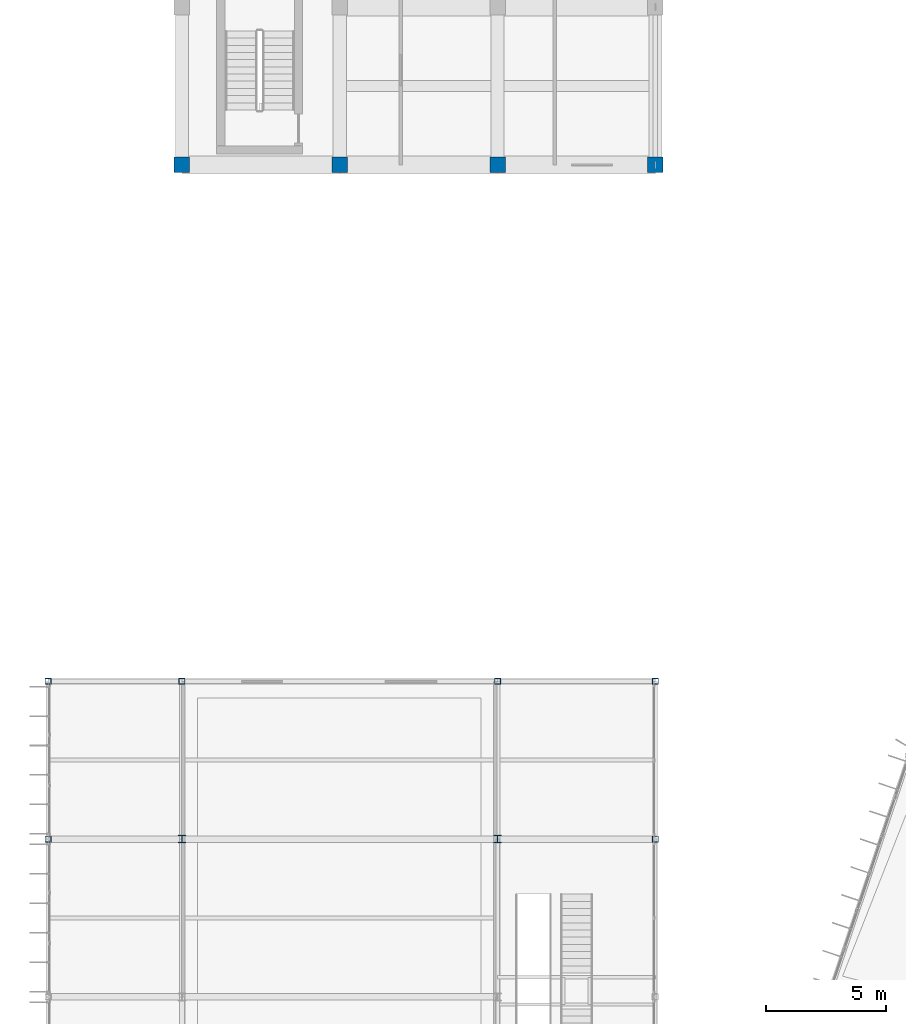
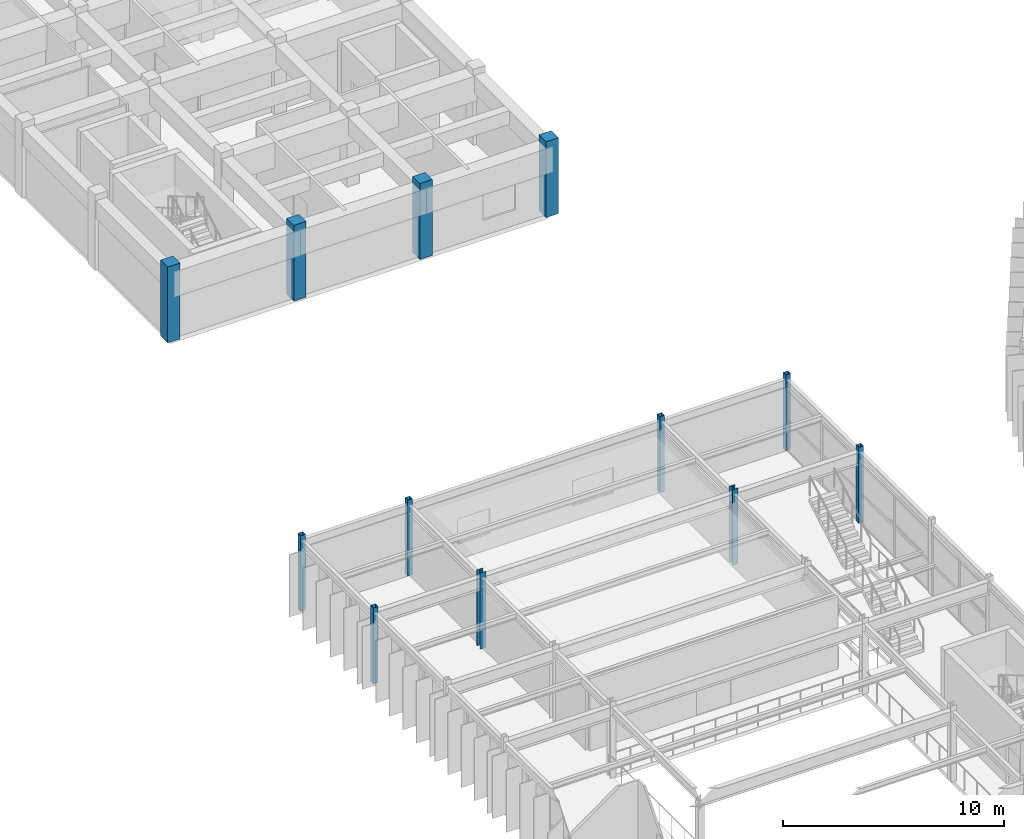
# One storey, part 11 of 147: 12 columns.
"""IFC4 building model written with IfcOpenShell, lengths in metres."""

from ifc_helpers import new_model, si_unit, direction, frame, origin, origin_2d, place, context, subcontext, project, spatial, rectangle, hollow_rectangle, i_section, extrude, material, material_profile, profile_set, type_object, element, save


model = new_model("IFC4")

# Units and contexts
model_context = context("Model", 3, precision=1e-05, world=origin(), true_north=direction((0.0, 1.0)))
body_context = subcontext(model_context, "Body", "Model", "MODEL_VIEW")
ifc_project = project(units=[si_unit("LENGTHUNIT", "METRE"), si_unit("AREAUNIT", "SQUARE_METRE"), si_unit("VOLUMEUNIT", "CUBIC_METRE"), si_unit("PLANEANGLEUNIT", "RADIAN"), si_unit("MASSUNIT", "GRAM", prefix="KILO")], contexts=[model_context])

# Site, building, storey
site_placement = place(None, origin())
site = spatial("IfcSite", under=ifc_project, at=site_placement, CompositionType="ELEMENT")
building_placement = place(site_placement, origin())
building = spatial("IfcBuilding", under=site, at=building_placement, Name="Karori Crest Natural Sciences Institute", CompositionType="ELEMENT")
storey_placement = place(building_placement, frame((0.0, 0.0, 9.10009765625)))
storey = spatial("IfcBuildingStorey", under=building, at=storey_placement, Name="L02", CompositionType="ELEMENT", Elevation=9.10009765625)

# Columns
ifc_material_1 = material(Name="Structural steel AS/NZS 3679.1 Grade 350", Category="steel")
ifc_material_profile_1 = material_profile(ifc_material_1, i_section(OverallWidth=0.306884765625, OverallDepth=0.31494140625, WebThickness=0.011962890625, FlangeThickness=0.018798828125, FilletRadius=0.01708984375, at=origin_2d()), Name="310UC118")
ifc_profile_set_1 = profile_set([ifc_material_profile_1], Name="Structural steel AS/NZS 3679.1 Grade 350")
column_type_1 = type_object("IfcColumnType", Name="CT-05", PredefinedType="COLUMN", material=ifc_profile_set_1)
for number, where, z_axis, x_axis, name in (
    (1, (7.39990234375, 66.800048828125, 0.0), (0.0, 0.0, 1.0), (1.0, 0.0, 0.0), "Column C-0612"),
    (2, (20.60009765625, 66.800048828125, 0.0), (0.0, 0.0, 1.0), (1.0, 0.0, 0.0), "Column C-0657"),
):
    element("IfcColumn", number, at=place(storey_placement, frame(where, z_axis=z_axis, x_axis=x_axis)), inside=storey, type_object=column_type_1, Name=name, PredefinedType="COLUMN", context=body_context, shape_type="SweptSolid", body=[
        extrude(i_section(OverallWidth=0.306884765625, OverallDepth=0.31494140625, WebThickness=0.011962890625, FlangeThickness=0.018798828125, FilletRadius=0.01708984375, at=origin_2d()), origin(), (0.0, 0.0, 1.0), 4.199951171875),
    ])
ifc_material_2 = material(Name="Hollow structural steel AS/NZS 1163 Grade C350", Category="steel")
ifc_material_profile_2 = material_profile(ifc_material_2, hollow_rectangle(XDim=0.25, YDim=0.25, WallThickness=0.012451171875, at=origin_2d()), Name="SHS250x250x12.5")
ifc_profile_set_2 = profile_set([ifc_material_profile_2], Name="Hollow structural steel AS/NZS 1163 Grade C350")
column_type_2 = type_object("IfcColumnType", Name="CT-12", PredefinedType="COLUMN", material=ifc_profile_set_2)
for number, where, z_axis, x_axis, name in (
    (3, (1.800048828125, 66.800048828125, 0.0), (0.0, 0.0, 1.0), (1.0, 0.0, 0.0), "Column C-0567"),
    (4, (1.800048828125, 73.39990234375, 0.0), (0.0, 0.0, 1.0), (1.0, 0.0, 0.0), "Column C-0572"),
    (5, (7.39990234375, 73.39990234375, 0.0), (0.0, 0.0, 1.0), (1.0, 0.0, 0.0), "Column C-0617"),
    (6, (20.60009765625, 73.39990234375, 0.0), (0.0, 0.0, 1.0), (1.0, 0.0, 0.0), "Column C-0662"),
    (7, (27.199951171875, 66.800048828125, 0.0), (0.0, 0.0, 1.0), (1.0, 0.0, 0.0), "Column C-0702"),
    (8, (27.199951171875, 73.39990234375, 0.0), (0.0, 0.0, 1.0), (1.0, 0.0, 0.0), "Column C-0707"),
):
    element("IfcColumn", number, at=place(storey_placement, frame(where, z_axis=z_axis, x_axis=x_axis)), inside=storey, type_object=column_type_2, Name=name, PredefinedType="COLUMN", context=body_context, shape_type="SweptSolid", body=[
        extrude(hollow_rectangle(XDim=0.25, YDim=0.25, WallThickness=0.012451171875, at=origin_2d()), origin(), (0.0, 0.0, 1.0), 4.199951171875),
    ])
ifc_material_3 = material(Name="Concrete 50 MPa", Category="concrete")
ifc_material_profile_3 = material_profile(ifc_material_3, rectangle(XDim=0.64990234375, YDim=0.64990234375, at=origin_2d()), Name="RC650x650")
ifc_profile_set_3 = profile_set([ifc_material_profile_3], Name="Concrete 50 MPa")
column_type_3 = type_object("IfcColumnType", Name="CT-19", PredefinedType="COLUMN", material=ifc_profile_set_3)
for number, where, z_axis, x_axis, name in (
    (9, (7.39990234375, 95.0, 0.0), (0.0, 0.0, 1.0), (1.0, 0.0, 0.0), "Column C-0712"),
    (10, (14.0, 95.0, 0.0), (0.0, 0.0, 1.0), (1.0, 0.0, 0.0), "Column C-0789"),
    (11, (20.60009765625, 95.0, 0.0), (0.0, 0.0, 1.0), (1.0, 0.0, 0.0), "Column C-0866"),
    (12, (27.199951171875, 95.0, 0.0), (0.0, 0.0, 1.0), (1.0, 0.0, 0.0), "Column C-0943"),
):
    element("IfcColumn", number, at=place(storey_placement, frame(where, z_axis=z_axis, x_axis=x_axis)), inside=storey, type_object=column_type_3, Name=name, PredefinedType="COLUMN", context=body_context, shape_type="SweptSolid", body=[
        extrude(rectangle(XDim=0.64990234375, YDim=0.64990234375, at=origin_2d()), origin(), (0.0, 0.0, 1.0), 4.199951171875),
    ])

save(model, "model.ifc")
